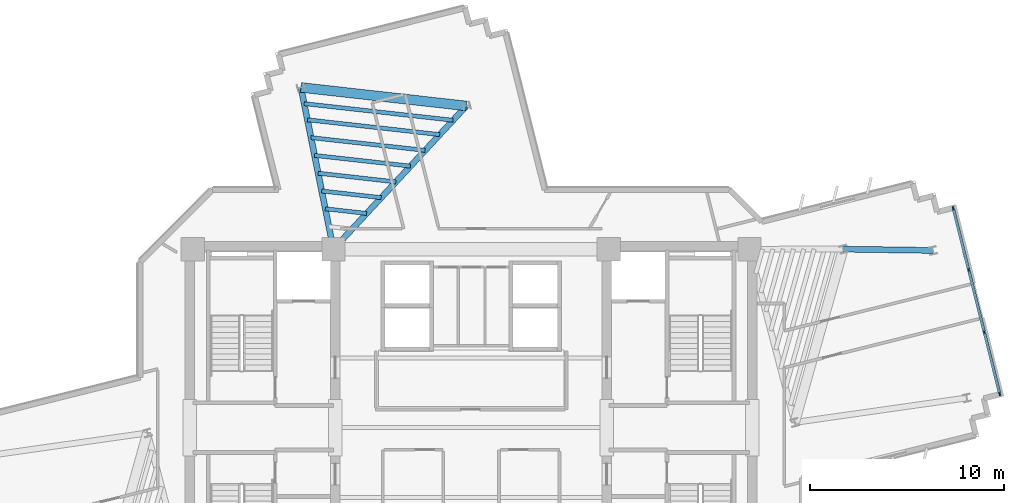
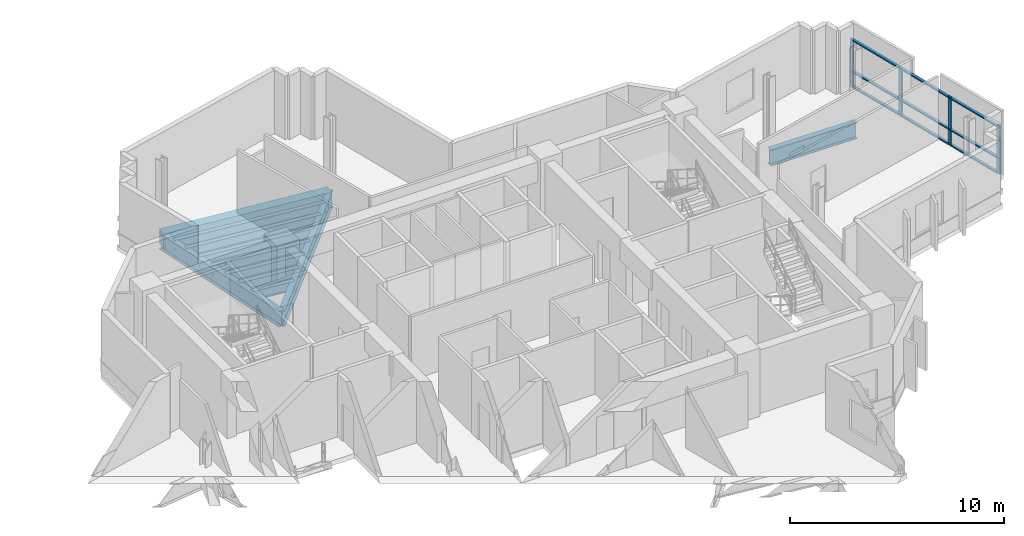
# One storey, part 4 of 13: 13 members, 11 beams, 1 element without a shape of its own.
"""IFC4 building model written with IfcOpenShell, lengths in metres."""

from ifc_helpers import new_model, si_unit, direction, frame, origin, origin_2d, place, context, subcontext, project, spatial, rectangle, i_section, extrude, source, transform, mapped, material, layer, layer_set, material_profile, profile_set, type_object, element, aggregate, save


model = new_model("IFC4")

# Units and contexts
model_context = context("Model", 3, precision=1e-05, world=origin(), true_north=direction((0.0, 1.0)))
body_context = subcontext(model_context, "Body", "Model", "MODEL_VIEW")
ifc_project = project(units=[si_unit("LENGTHUNIT", "METRE"), si_unit("AREAUNIT", "SQUARE_METRE"), si_unit("VOLUMEUNIT", "CUBIC_METRE"), si_unit("PLANEANGLEUNIT", "RADIAN"), si_unit("MASSUNIT", "GRAM", prefix="KILO")], contexts=[model_context])

# Site, building, storey
site_placement = place(None, origin())
site = spatial("IfcSite", under=ifc_project, at=site_placement, CompositionType="ELEMENT")
building_placement = place(site_placement, origin())
building = spatial("IfcBuilding", under=site, at=building_placement, Name="Zahravan Cultural Tower", CompositionType="ELEMENT")
storey_placement = place(building_placement, frame((0.0, 0.0, 190.199951171875)))
storey = spatial("IfcBuildingStorey", under=building, at=storey_placement, Name="L44", CompositionType="ELEMENT", Elevation=190.199951171875)

# Beams
ifc_material_1 = material(Name="Steel ASTM A992 Grade 50", Category="steel")
ifc_material_profile_1 = material_profile(ifc_material_1, i_section(OverallWidth=0.304931640625, OverallDepth=0.9189453125, WebThickness=0.017333984375, FlangeThickness=0.02783203125, FilletRadius=0.02392578125, at=origin_2d()), Name="W36X170")
ifc_profile_set_1 = profile_set([ifc_material_profile_1], Name="Steel ASTM A992 Grade 50")
beam_type_1 = type_object("IfcBeamType", Name="BM-G-W36X170", PredefinedType="BEAM", material=ifc_profile_set_1)
shared_shape_1 = source(origin(), body_context, "Body", "SweptSolid", [
    extrude(i_section(OverallWidth=0.304931640625, OverallDepth=0.9189453125, WebThickness=0.017333984375, FlangeThickness=0.02783203125, FilletRadius=0.02392578125, at=origin_2d()), origin(), (0.0, 0.0, 1.0), 10.077880859375),
])
beam_1_placement = place(storey_placement, frame((28.89990234375, 36.199951171875, -0.739501953125), z_axis=(0.680170435587, 0.733054007938, 0.0), x_axis=(-0.733054007938, 0.680170435587, 0.0)))
element("IfcBeam", 1, at=beam_1_placement, inside=storey, type_object=beam_type_1, Name="L44 Beam BG-L44-13", PredefinedType="BEAM", context=body_context, shape_type="MappedRepresentation", body=[
    mapped(shared_shape_1, transform((0.0, 0.0, 0.0), x_axis=(1.0, 0.0, 0.0), y_axis=(0.0, 1.0, 0.0), z_axis=(0.0, 0.0, 1.0), scale=1.0)),
])
shared_shape_2 = source(origin(), body_context, "Body", "SweptSolid", [
    extrude(i_section(OverallWidth=0.304931640625, OverallDepth=0.9189453125, WebThickness=0.017333984375, FlangeThickness=0.02783203125, FilletRadius=0.02392578125, at=origin_2d()), origin(), (0.0, 0.0, 1.0), 8.50732421875),
])
beam_2_placement = place(storey_placement, frame((28.89990234375, 36.199951171875, -0.739501953125), z_axis=(-0.196524514012, 0.980498911469, 0.0), x_axis=(-0.980498911469, -0.196524514012, 0.0)))
element("IfcBeam", 2, at=beam_2_placement, inside=storey, type_object=beam_type_1, Name="L44 Beam BG-L44-14", PredefinedType="BEAM", context=body_context, shape_type="MappedRepresentation", body=[
    mapped(shared_shape_2, transform((0.0, 0.0, 0.0), x_axis=(1.0, 0.0, 0.0), y_axis=(0.0, 1.0, 0.0), z_axis=(0.0, 0.0, 1.0), scale=1.0)),
])
shared_shape_3 = source(origin(), body_context, "Body", "SweptSolid", [
    extrude(i_section(OverallWidth=0.304931640625, OverallDepth=0.9189453125, WebThickness=0.017333984375, FlangeThickness=0.02783203125, FilletRadius=0.02392578125, at=origin_2d()), origin(), (0.0, 0.0, 1.0), 4.622314453125),
])
beam_3_placement = place(storey_placement, frame((55.184814453125, 36.2060546875, -0.739501953125), z_axis=(0.999889070044, -0.014894549562, 0.0), x_axis=(0.014894549562, 0.999889070044, 0.0)))
element("IfcBeam", 3, at=beam_3_placement, inside=storey, type_object=beam_type_1, Name="L44 Beam BG-L44-16", PredefinedType="BEAM", context=body_context, shape_type="MappedRepresentation", body=[
    mapped(shared_shape_3, transform((0.0, 0.0, 0.0), x_axis=(1.0, 0.0, 0.0), y_axis=(0.0, 1.0, 0.0), z_axis=(0.0, 0.0, 1.0), scale=1.0)),
])
ifc_material_2 = material(Name="Concrete C50/60", Category="concrete")
ifc_material_profile_2 = material_profile(ifc_material_2, rectangle(XDim=0.5, YDim=0.85009765625, at=origin_2d()), Name="RC500X850")
ifc_profile_set_2 = profile_set([ifc_material_profile_2], Name="Concrete C50/60")
beam_type_2 = type_object("IfcBeamType", Name="BM-SP-RC500X850", PredefinedType="SPANDREL", material=ifc_profile_set_2)
shared_shape_4 = source(origin(), body_context, "Body", "SweptSolid", [
    extrude(rectangle(XDim=0.5, YDim=0.85009765625, at=origin_2d()), origin(), (0.0, 0.0, 1.0), 8.579833984375),
])
beam_4_placement = place(storey_placement, frame((35.754638671875, 43.587646484375, -0.704833984375), z_axis=(-0.9938040105, 0.11114669907, 0.0), x_axis=(-0.11114669907, -0.9938040105, 0.0)))
element("IfcBeam", 4, at=beam_4_placement, inside=storey, type_object=beam_type_2, Name="L44 Beam SP-L44-22", PredefinedType="SPANDREL", context=body_context, shape_type="MappedRepresentation", body=[
    mapped(shared_shape_4, transform((0.0, 0.0, 0.0), x_axis=(1.0, 0.0, 0.0), y_axis=(0.0, 1.0, 0.0), z_axis=(0.0, 0.0, 1.0), scale=1.0)),
])
ifc_material_profile_3 = material_profile(ifc_material_1, i_section(OverallWidth=0.2099609375, OverallDepth=0.532958984375, WebThickness=0.01025390625, FlangeThickness=0.015625, FilletRadius=0.013916015625, at=origin_2d()), Name="W21X62")
ifc_profile_set_3 = profile_set([ifc_material_profile_3], Name="Steel ASTM A992 Grade 50")
beam_type_3 = type_object("IfcBeamType", Name="BM-J-W21X62", PredefinedType="JOIST", material=ifc_profile_set_3)
shared_shape_5 = source(origin(), body_context, "Body", "SweptSolid", [
    extrude(i_section(OverallWidth=0.2099609375, OverallDepth=0.532958984375, WebThickness=0.01025390625, FlangeThickness=0.015625, FilletRadius=0.013916015625, at=origin_2d()), origin(), (0.0, 0.0, 1.0), 2.144775390625),
])
beam_5_placement = place(storey_placement, frame((30.613525390625, 38.046875, -0.54638671875), z_axis=(-0.993797370806, 0.111206051, 0.0), x_axis=(-0.111206051, -0.993797370806, 0.0)))
element("IfcBeam", 5, at=beam_5_placement, inside=storey, type_object=beam_type_3, Name="L44 Beam BJ-L44-51", PredefinedType="JOIST", context=body_context, shape_type="MappedRepresentation", body=[
    mapped(shared_shape_5, transform((0.0, 0.0, 0.0), x_axis=(1.0, 0.0, 0.0), y_axis=(0.0, 1.0, 0.0), z_axis=(0.0, 0.0, 1.0), scale=1.0)),
])
shared_shape_6 = source(origin(), body_context, "Body", "SweptSolid", [
    extrude(i_section(OverallWidth=0.2099609375, OverallDepth=0.532958984375, WebThickness=0.01025390625, FlangeThickness=0.015625, FilletRadius=0.013916015625, at=origin_2d()), origin(), (0.0, 0.0, 1.0), 3.088623046875),
])
beam_6_placement = place(storey_placement, frame((31.36767578125, 38.859619140625, -0.54638671875), z_axis=(-0.993805407368, 0.111134208443, 0.0), x_axis=(-0.111134208443, -0.993805407368, 0.0)))
element("IfcBeam", 6, at=beam_6_placement, inside=storey, type_object=beam_type_3, Name="L44 Beam BJ-L44-52", PredefinedType="JOIST", context=body_context, shape_type="MappedRepresentation", body=[
    mapped(shared_shape_6, transform((0.0, 0.0, 0.0), x_axis=(1.0, 0.0, 0.0), y_axis=(0.0, 1.0, 0.0), z_axis=(0.0, 0.0, 1.0), scale=1.0)),
])
shared_shape_7 = source(origin(), body_context, "Body", "SweptSolid", [
    extrude(i_section(OverallWidth=0.2099609375, OverallDepth=0.532958984375, WebThickness=0.01025390625, FlangeThickness=0.015625, FilletRadius=0.013916015625, at=origin_2d()), origin(), (0.0, 0.0, 1.0), 4.0322265625),
])
beam_7_placement = place(storey_placement, frame((32.12158203125, 39.672119140625, -0.54638671875), z_axis=(-0.993802245601, 0.11116247855, 0.0), x_axis=(-0.11116247855, -0.993802245601, 0.0)))
element("IfcBeam", 7, at=beam_7_placement, inside=storey, type_object=beam_type_3, Name="L44 Beam BJ-L44-53", PredefinedType="JOIST", context=body_context, shape_type="MappedRepresentation", body=[
    mapped(shared_shape_7, transform((0.0, 0.0, 0.0), x_axis=(1.0, 0.0, 0.0), y_axis=(0.0, 1.0, 0.0), z_axis=(0.0, 0.0, 1.0), scale=1.0)),
])
shared_shape_8 = source(origin(), body_context, "Body", "SweptSolid", [
    extrude(i_section(OverallWidth=0.2099609375, OverallDepth=0.532958984375, WebThickness=0.01025390625, FlangeThickness=0.015625, FilletRadius=0.013916015625, at=origin_2d()), origin(), (0.0, 0.0, 1.0), 4.97607421875),
])
beam_8_placement = place(storey_placement, frame((32.875732421875, 40.48486328125, -0.54638671875), z_axis=(-0.993806308517, 0.111126149723, 0.0), x_axis=(-0.111126149723, -0.993806308517, 0.0)))
element("IfcBeam", 8, at=beam_8_placement, inside=storey, type_object=beam_type_3, Name="L44 Beam BJ-L44-54", PredefinedType="JOIST", context=body_context, shape_type="MappedRepresentation", body=[
    mapped(shared_shape_8, transform((0.0, 0.0, 0.0), x_axis=(1.0, 0.0, 0.0), y_axis=(0.0, 1.0, 0.0), z_axis=(0.0, 0.0, 1.0), scale=1.0)),
])
shared_shape_9 = source(origin(), body_context, "Body", "SweptSolid", [
    extrude(i_section(OverallWidth=0.2099609375, OverallDepth=0.532958984375, WebThickness=0.01025390625, FlangeThickness=0.015625, FilletRadius=0.013916015625, at=origin_2d()), origin(), (0.0, 0.0, 1.0), 5.919921875),
])
beam_9_placement = place(storey_placement, frame((33.629638671875, 41.29736328125, -0.54638671875), z_axis=(-0.993804520866, 0.111142135602, 0.0), x_axis=(-0.111142135602, -0.993804520866, 0.0)))
element("IfcBeam", 9, at=beam_9_placement, inside=storey, type_object=beam_type_3, Name="L44 Beam BJ-L44-55", PredefinedType="JOIST", context=body_context, shape_type="MappedRepresentation", body=[
    mapped(shared_shape_9, transform((0.0, 0.0, 0.0), x_axis=(1.0, 0.0, 0.0), y_axis=(0.0, 1.0, 0.0), z_axis=(0.0, 0.0, 1.0), scale=1.0)),
])
shared_shape_10 = source(origin(), body_context, "Body", "SweptSolid", [
    extrude(i_section(OverallWidth=0.2099609375, OverallDepth=0.532958984375, WebThickness=0.01025390625, FlangeThickness=0.015625, FilletRadius=0.013916015625, at=origin_2d()), origin(), (0.0, 0.0, 1.0), 6.86376953125),
])
beam_10_placement = place(storey_placement, frame((34.3837890625, 42.110107421875, -0.54638671875), z_axis=(-0.993803224695, 0.111153725024, 0.0), x_axis=(-0.111153725024, -0.993803224695, 0.0)))
element("IfcBeam", 10, at=beam_10_placement, inside=storey, type_object=beam_type_3, Name="L44 Beam BJ-L44-56", PredefinedType="JOIST", context=body_context, shape_type="MappedRepresentation", body=[
    mapped(shared_shape_10, transform((0.0, 0.0, 0.0), x_axis=(1.0, 0.0, 0.0), y_axis=(0.0, 1.0, 0.0), z_axis=(0.0, 0.0, 1.0), scale=1.0)),
])
shared_shape_11 = source(origin(), body_context, "Body", "SweptSolid", [
    extrude(i_section(OverallWidth=0.2099609375, OverallDepth=0.532958984375, WebThickness=0.01025390625, FlangeThickness=0.015625, FilletRadius=0.013916015625, at=origin_2d()), origin(), (0.0, 0.0, 1.0), 7.7216796875),
])
beam_11_placement = place(storey_placement, frame((35.069091796875, 42.848876953125, -0.54638671875), z_axis=(-0.993805212115, 0.11113595446, 0.0), x_axis=(-0.11113595446, -0.993805212115, 0.0)))
element("IfcBeam", 11, at=beam_11_placement, inside=storey, type_object=beam_type_3, Name="L44 Beam BJ-L44-57", PredefinedType="JOIST", context=body_context, shape_type="MappedRepresentation", body=[
    mapped(shared_shape_11, transform((0.0, 0.0, 0.0), x_axis=(1.0, 0.0, 0.0), y_axis=(0.0, 1.0, 0.0), z_axis=(0.0, 0.0, 1.0), scale=1.0)),
])

# Curtain wall, members
ifc_material_3 = material(Name="Anodised bronze-aluminium mullion", Category="aluminium")
ifc_layer = layer(ifc_material_3, 0.199951171875)
ifc_layer_set = layer_set([ifc_layer], Name="Anodised bronze-aluminium mullion")
curtain_wall_type = type_object("IfcCurtainWallType", Name="CW-SYS-2", PredefinedType="USERDEFINED", material=ifc_layer_set)
curtain_wall_placement = place(storey_placement, origin())
curtain_wall = element("IfcCurtainWall", 12, at=curtain_wall_placement, inside=storey, type_object=curtain_wall_type, Name="L44 Recessed Curtain Wall CW-2.1", ObjectType="RECESSED GLAZING", PredefinedType="USERDEFINED")
ifc_material_profile_4 = material_profile(ifc_material_3, rectangle(XDim=0.14990234375, YDim=0.074951171875, at=origin_2d()), Name="AL-T75X150")
ifc_profile_set_4 = profile_set([ifc_material_profile_4], Name="Anodised bronze-aluminium mullion")
member_type_1 = type_object("IfcMemberType", Name="CWT-CW-2", PredefinedType="USERDEFINED", material=ifc_profile_set_4)
shared_shape_12 = source(origin(), body_context, "Body", "SweptSolid", [
    extrude(rectangle(XDim=0.14990234375, YDim=0.074951171875, at=origin_2d()), origin(), (0.0, 0.0, 1.0), 3.231689453125),
])
member_1_placement = place(storey_placement, frame((61.662841796875, 35.0927734375, 0.03759765625), z_axis=(0.24287333559, -0.970058010049, 0.0), x_axis=(0.970058010049, 0.24287333559, 0.0)))
member_1 = element("IfcMember", 13, at=member_1_placement, type_object=member_type_1, Name="CW-2 transom 2.1", ObjectType="TRANSOM", PredefinedType="USERDEFINED", context=body_context, shape_type="MappedRepresentation", body=[
    mapped(shared_shape_12, transform((0.0, 0.0, 0.0), x_axis=(1.0, 0.0, 0.0), y_axis=(0.0, 1.0, 0.0), z_axis=(0.0, 0.0, 1.0), scale=1.0)),
])
member_2_placement = place(storey_placement, frame((61.662841796875, 35.0927734375, 0.900146484375), z_axis=(0.24287333559, -0.970058010049, 0.0), x_axis=(0.970058010049, 0.24287333559, 0.0)))
member_2 = element("IfcMember", 14, at=member_2_placement, type_object=member_type_1, Name="CW-2 transom 2.2", ObjectType="TRANSOM", PredefinedType="USERDEFINED", context=body_context, shape_type="MappedRepresentation", body=[
    mapped(shared_shape_12, transform((0.0, 0.0, 0.0), x_axis=(1.0, 0.0, 0.0), y_axis=(0.0, 1.0, 0.0), z_axis=(0.0, 0.0, 1.0), scale=1.0)),
])
member_3_placement = place(storey_placement, frame((61.662841796875, 35.0927734375, 2.70263671875), z_axis=(0.24287333559, -0.970058010049, 0.0), x_axis=(0.970058010049, 0.24287333559, 0.0)))
member_3 = element("IfcMember", 15, at=member_3_placement, type_object=member_type_1, Name="CW-2 transom 2.3", ObjectType="TRANSOM", PredefinedType="USERDEFINED", context=body_context, shape_type="MappedRepresentation", body=[
    mapped(shared_shape_12, transform((0.0, 0.0, 0.0), x_axis=(1.0, 0.0, 0.0), y_axis=(0.0, 1.0, 0.0), z_axis=(0.0, 0.0, 1.0), scale=1.0)),
])
ifc_material_profile_5 = material_profile(ifc_material_3, rectangle(XDim=0.074951171875, YDim=0.199951171875, at=origin_2d()), Name="AL-M75X200")
ifc_profile_set_5 = profile_set([ifc_material_profile_5], Name="Anodised bronze-aluminium mullion")
member_type_2 = type_object("IfcMemberType", Name="CWM-CW-2", PredefinedType="MULLION", material=ifc_profile_set_5)
shared_shape_13 = source(origin(), body_context, "Body", "SweptSolid", [
    extrude(rectangle(XDim=0.074951171875, YDim=0.199951171875, at=origin_2d()), origin(), (0.0, 0.0, 1.0), 2.739990234375),
])
member_4_placement = place(storey_placement, frame((60.859375, 38.30029296875, 0.0), z_axis=(0.0, 0.0, 1.0), x_axis=(0.970040421945, 0.242943573269, 0.0)))
member_4 = element("IfcMember", 16, at=member_4_placement, type_object=member_type_2, Name="CW-2 mullion 1", PredefinedType="MULLION", context=body_context, shape_type="MappedRepresentation", body=[
    mapped(shared_shape_13, transform((0.0, 0.0, 0.0), x_axis=(1.0, 0.0, 0.0), y_axis=(0.0, 1.0, 0.0), z_axis=(0.0, 0.0, 1.0), scale=1.0)),
])
member_5_placement = place(storey_placement, frame((61.653564453125, 35.129150390625, 0.0), z_axis=(0.0, 0.0, 1.0), x_axis=(0.970040421945, 0.242943573269, 0.0)))
member_5 = element("IfcMember", 17, at=member_5_placement, type_object=member_type_2, Name="CW-2 mullion 2", PredefinedType="MULLION", context=body_context, shape_type="MappedRepresentation", body=[
    mapped(shared_shape_13, transform((0.0, 0.0, 0.0), x_axis=(1.0, 0.0, 0.0), y_axis=(0.0, 1.0, 0.0), z_axis=(0.0, 0.0, 1.0), scale=1.0)),
])
member_6_placement = place(storey_placement, frame((62.45703125, 31.92138671875, 0.0), z_axis=(0.0, 0.0, 1.0), x_axis=(0.970040421945, 0.242943573269, 0.0)))
member_6 = element("IfcMember", 18, at=member_6_placement, type_object=member_type_2, Name="CW-2 mullion 3", PredefinedType="MULLION", context=body_context, shape_type="MappedRepresentation", body=[
    mapped(shared_shape_13, transform((0.0, 0.0, 0.0), x_axis=(1.0, 0.0, 0.0), y_axis=(0.0, 1.0, 0.0), z_axis=(0.0, 0.0, 1.0), scale=1.0)),
])
member_7_placement = place(storey_placement, frame((63.251220703125, 28.750244140625, 0.0), z_axis=(0.0, 0.0, 1.0), x_axis=(0.970040421945, 0.242943573269, 0.0)))
member_7 = element("IfcMember", 19, at=member_7_placement, type_object=member_type_2, Name="CW-2 mullion 4", PredefinedType="MULLION", context=body_context, shape_type="MappedRepresentation", body=[
    mapped(shared_shape_13, transform((0.0, 0.0, 0.0), x_axis=(1.0, 0.0, 0.0), y_axis=(0.0, 1.0, 0.0), z_axis=(0.0, 0.0, 1.0), scale=1.0)),
])
shared_shape_14 = source(origin(), body_context, "Body", "SweptSolid", [
    extrude(rectangle(XDim=0.14990234375, YDim=0.074951171875, at=origin_2d()), origin(), (0.0, 0.0, 1.0), 3.194091796875),
])
member_8_placement = place(storey_placement, frame((60.868408203125, 38.263916015625, 0.03759765625), z_axis=(0.242985213581, -0.97002999231, 0.0), x_axis=(0.97002999231, 0.242985213581, 0.0)))
member_8 = element("IfcMember", 20, at=member_8_placement, type_object=member_type_1, Name="CW-2 transom 1.1", ObjectType="TRANSOM", PredefinedType="USERDEFINED", context=body_context, shape_type="MappedRepresentation", body=[
    mapped(shared_shape_14, transform((0.0, 0.0, 0.0), x_axis=(1.0, 0.0, 0.0), y_axis=(0.0, 1.0, 0.0), z_axis=(0.0, 0.0, 1.0), scale=1.0)),
])
member_9_placement = place(storey_placement, frame((60.868408203125, 38.263916015625, 0.900146484375), z_axis=(0.242985213581, -0.97002999231, 0.0), x_axis=(0.97002999231, 0.242985213581, 0.0)))
member_9 = element("IfcMember", 21, at=member_9_placement, type_object=member_type_1, Name="CW-2 transom 1.2", ObjectType="TRANSOM", PredefinedType="USERDEFINED", context=body_context, shape_type="MappedRepresentation", body=[
    mapped(shared_shape_14, transform((0.0, 0.0, 0.0), x_axis=(1.0, 0.0, 0.0), y_axis=(0.0, 1.0, 0.0), z_axis=(0.0, 0.0, 1.0), scale=1.0)),
])
member_10_placement = place(storey_placement, frame((60.868408203125, 38.263916015625, 2.70263671875), z_axis=(0.242985213581, -0.97002999231, 0.0), x_axis=(0.97002999231, 0.242985213581, 0.0)))
member_10 = element("IfcMember", 22, at=member_10_placement, type_object=member_type_1, Name="CW-2 transom 1.3", ObjectType="TRANSOM", PredefinedType="USERDEFINED", context=body_context, shape_type="MappedRepresentation", body=[
    mapped(shared_shape_14, transform((0.0, 0.0, 0.0), x_axis=(1.0, 0.0, 0.0), y_axis=(0.0, 1.0, 0.0), z_axis=(0.0, 0.0, 1.0), scale=1.0)),
])
member_11_placement = place(storey_placement, frame((62.466064453125, 31.885009765625, 0.03759765625), z_axis=(0.242985213581, -0.97002999231, 0.0), x_axis=(0.97002999231, 0.242985213581, 0.0)))
member_11 = element("IfcMember", 23, at=member_11_placement, type_object=member_type_1, Name="CW-2 transom 3.1", ObjectType="TRANSOM", PredefinedType="USERDEFINED", context=body_context, shape_type="MappedRepresentation", body=[
    mapped(shared_shape_14, transform((0.0, 0.0, 0.0), x_axis=(1.0, 0.0, 0.0), y_axis=(0.0, 1.0, 0.0), z_axis=(0.0, 0.0, 1.0), scale=1.0)),
])
member_12_placement = place(storey_placement, frame((62.466064453125, 31.885009765625, 0.900146484375), z_axis=(0.242985213581, -0.97002999231, 0.0), x_axis=(0.97002999231, 0.242985213581, 0.0)))
member_12 = element("IfcMember", 24, at=member_12_placement, type_object=member_type_1, Name="CW-2 transom 3.2", ObjectType="TRANSOM", PredefinedType="USERDEFINED", context=body_context, shape_type="MappedRepresentation", body=[
    mapped(shared_shape_14, transform((0.0, 0.0, 0.0), x_axis=(1.0, 0.0, 0.0), y_axis=(0.0, 1.0, 0.0), z_axis=(0.0, 0.0, 1.0), scale=1.0)),
])
member_13_placement = place(storey_placement, frame((62.466064453125, 31.885009765625, 2.70263671875), z_axis=(0.242985213581, -0.97002999231, 0.0), x_axis=(0.97002999231, 0.242985213581, 0.0)))
member_13 = element("IfcMember", 25, at=member_13_placement, type_object=member_type_1, Name="CW-2 transom 3.3", ObjectType="TRANSOM", PredefinedType="USERDEFINED", context=body_context, shape_type="MappedRepresentation", body=[
    mapped(shared_shape_14, transform((0.0, 0.0, 0.0), x_axis=(1.0, 0.0, 0.0), y_axis=(0.0, 1.0, 0.0), z_axis=(0.0, 0.0, 1.0), scale=1.0)),
])
aggregate(curtain_wall, [member_4, member_5, member_6, member_7, member_8, member_9, member_10, member_1, member_2, member_3, member_11, member_12, member_13])

save(model, "model.ifc")
